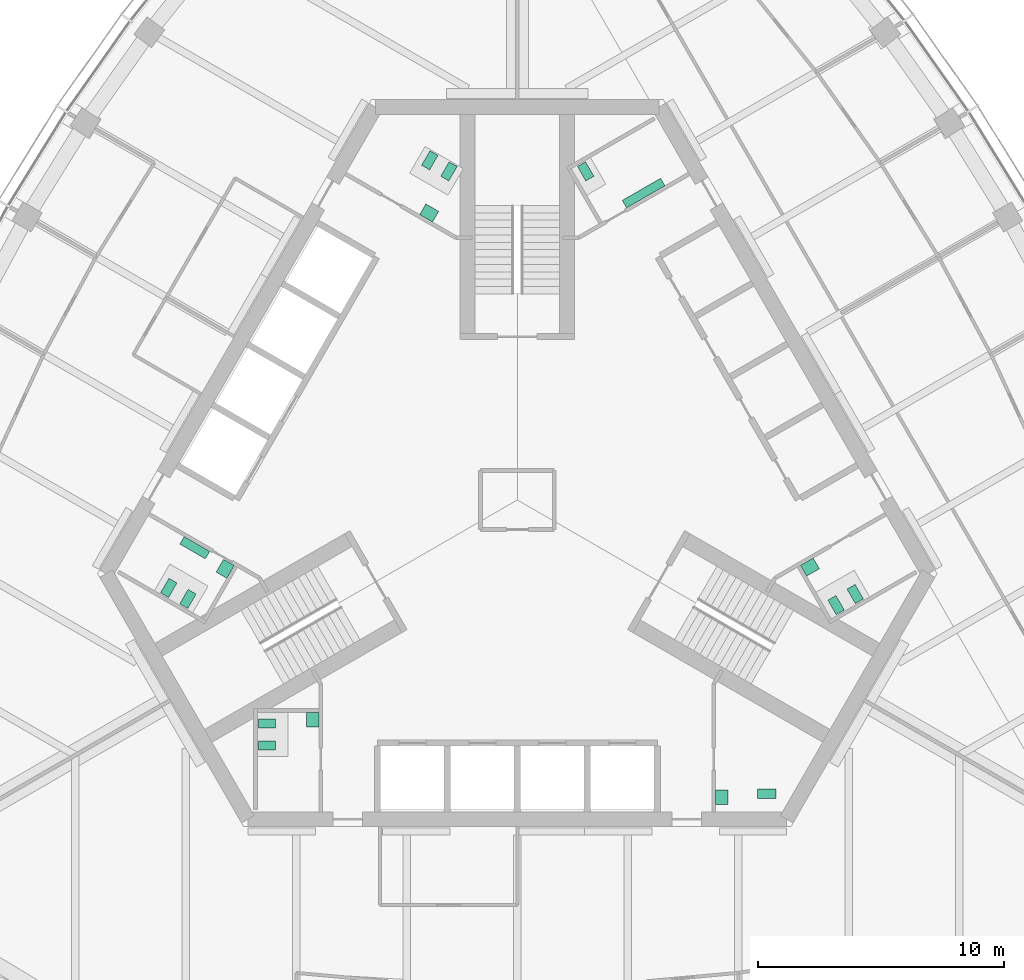
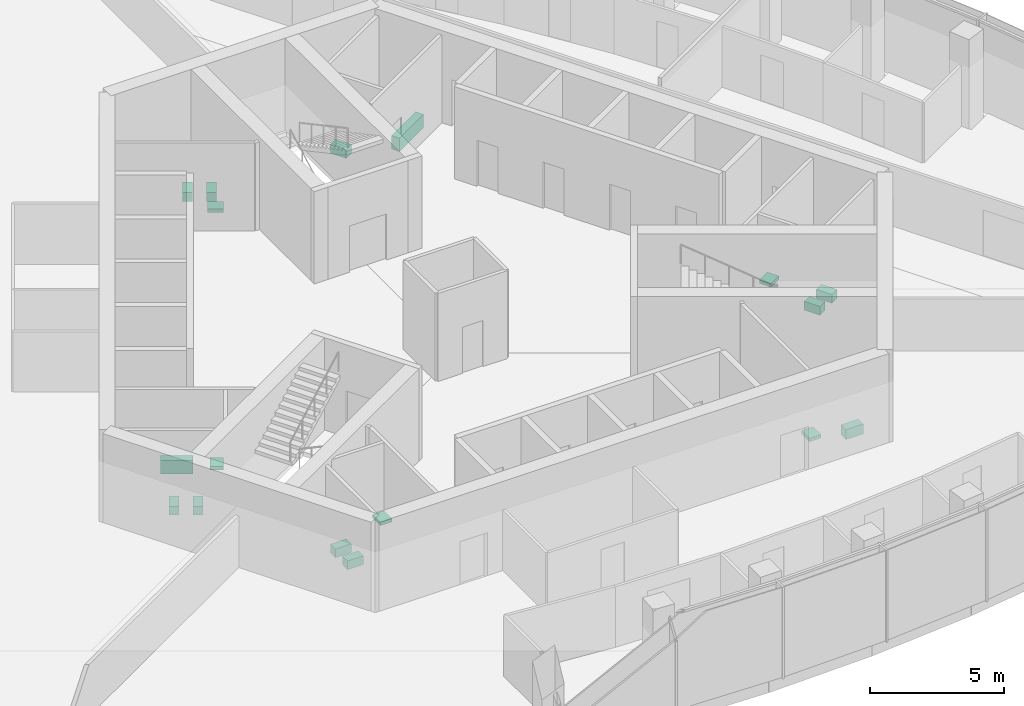
# One storey, part 15 of 16: 17 sanitary terminals.
"""IFC4 building model written with IfcOpenShell, lengths in metres."""

from ifc_helpers import new_model, si_unit, direction, frame, origin, place, context, subcontext, project, spatial, polyline, outline, extrude, material, type_object, element, save


model = new_model("IFC4")

# Units and contexts
model_context = context("Model", 3, precision=1e-05, world=origin(), true_north=direction((0.0, 1.0)))
body_context = subcontext(model_context, "Body", "Model", "MODEL_VIEW")
ifc_project = project(units=[si_unit("LENGTHUNIT", "METRE"), si_unit("AREAUNIT", "SQUARE_METRE"), si_unit("VOLUMEUNIT", "CUBIC_METRE"), si_unit("PLANEANGLEUNIT", "RADIAN"), si_unit("MASSUNIT", "GRAM", prefix="KILO")], contexts=[model_context])

# Site, building, storey
site_placement = place(None, origin())
site = spatial("IfcSite", under=ifc_project, at=site_placement, CompositionType="ELEMENT")
building_placement = place(site_placement, origin())
building = spatial("IfcBuilding", under=site, at=building_placement, Name="Trefoil Bronze Tower", CompositionType="ELEMENT")
storey_placement = place(building_placement, frame((0.0, 0.0, 301.5)))
storey = spatial("IfcBuildingStorey", under=building, at=storey_placement, Name="L69", CompositionType="ELEMENT", Elevation=301.5)

# Sanitary terminals
ifc_material_1 = material(Name="Vitreous china", Category="ceramic")
sanitary_terminal_type_1 = type_object("IfcSanitaryTerminalType", Name="Accessible WC pan", PredefinedType="TOILETPAN", material=ifc_material_1)
sanitary_terminal_1_placement = place(storey_placement, origin())
element("IfcSanitaryTerminal", 1, at=sanitary_terminal_1_placement, inside=storey, type_object=sanitary_terminal_type_1, Name="WC pan 1 Accessible WC L69", PredefinedType="TOILETPAN", context=body_context, shape_type="SweptSolid", body=[
    extrude(outline(polyline([(9.784912109375, -11.77001953125), (10.534912109375, -11.77001953125), (10.534912109375, -12.14990234375), (9.784912109375, -12.14990234375), (9.784912109375, -11.77001953125)])), origin(), (0.0, 0.0, 1.0), 0.449951171875),
])
ifc_material_2 = material(Name="Vitreous china", Category="ceramic")
sanitary_terminal_type_2 = type_object("IfcSanitaryTerminalType", Name="Accessible basin", PredefinedType="WASHHANDBASIN", material=ifc_material_2)
sanitary_terminal_2_placement = place(storey_placement, frame((0.0, 0.0, 0.64990234375)))
element("IfcSanitaryTerminal", 2, at=sanitary_terminal_2_placement, inside=storey, type_object=sanitary_terminal_type_2, Name="Wash basin Accessible WC L69", PredefinedType="WASHHANDBASIN", context=body_context, shape_type="SweptSolid", body=[
    extrude(outline(polyline([(8.074951171875, -11.800048828125), (8.574951171875, -11.800048828125), (8.574951171875, -12.39990234375), (8.074951171875, -12.39990234375), (8.074951171875, -11.800048828125)])), origin(), (0.0, 0.0, 1.0), 0.150146484375),
])
ifc_material_3 = material(Name="Vitreous china", Category="ceramic")
sanitary_terminal_type_3 = type_object("IfcSanitaryTerminalType", Name="Urinal range 2 urinals", PredefinedType="URINAL", material=ifc_material_3)
sanitary_terminal_3_placement = place(storey_placement, frame((0.0, 0.0, 0.39990234375)))
element("IfcSanitaryTerminal", 3, at=sanitary_terminal_3_placement, inside=storey, type_object=sanitary_terminal_type_3, Name="Urinal range WC (men) L69", PredefinedType="URINAL", context=body_context, shape_type="SweptSolid", body=[
    extrude(outline(polyline([(-12.524658203125, -2.09326171875), (-12.699462890625, -2.396240234375), (-13.73876953125, -1.796142578125), (-13.563720703125, -1.4931640625), (-12.524658203125, -2.09326171875)])), origin(), (0.0, 0.0, 1.0), 0.60009765625),
])
ifc_material_4 = material(Name="Vitreous china", Category="ceramic")
sanitary_terminal_type_4 = type_object("IfcSanitaryTerminalType", Name="Urinal range 3 urinals", PredefinedType="URINAL", material=ifc_material_4)
sanitary_terminal_4_placement = place(storey_placement, frame((0.0, 0.0, 0.39990234375)))
element("IfcSanitaryTerminal", 4, at=sanitary_terminal_4_placement, inside=storey, type_object=sanitary_terminal_type_4, Name="Urinal range WC (men) L69", PredefinedType="URINAL", context=body_context, shape_type="SweptSolid", body=[
    extrude(outline(polyline([(4.449462890625, 11.89306640625), (4.274658203125, 12.1962890625), (5.83349609375, 13.09619140625), (6.00830078125, 12.793212890625), (4.449462890625, 11.89306640625)])), origin(), (0.0, 0.0, 1.0), 0.60009765625),
])
ifc_material_5 = material(Name="Solid surface vanity", Category="plastic")
sanitary_terminal_type_5 = type_object("IfcSanitaryTerminalType", Name="Vanity unit 1 basins", PredefinedType="WASHHANDBASIN", material=ifc_material_5)
sanitary_terminal_5_placement = place(storey_placement, frame((0.0, 0.0, 0.75)))
element("IfcSanitaryTerminal", 5, at=sanitary_terminal_5_placement, inside=storey, type_object=sanitary_terminal_type_5, Name="Vanity unit WC (women) L69", PredefinedType="WASHHANDBASIN", context=body_context, shape_type="SweptSolid", body=[
    extrude(outline(polyline([(11.528564453125, -2.668212890625), (11.778564453125, -3.10107421875), (12.29833984375, -2.80126953125), (12.04833984375, -2.3681640625), (11.528564453125, -2.668212890625)])), origin(), (0.0, 0.0, 1.0), 0.14990234375),
])
sanitary_terminal_6_placement = place(storey_placement, frame((0.0, 0.0, 0.75)))
element("IfcSanitaryTerminal", 6, at=sanitary_terminal_6_placement, inside=storey, type_object=sanitary_terminal_type_5, Name="Vanity unit WC (women) L69", PredefinedType="WASHHANDBASIN", context=body_context, shape_type="SweptSolid", body=[
    extrude(outline(polyline([(-3.45361328125, 11.318115234375), (-3.20361328125, 11.751220703125), (-3.72314453125, 12.05126953125), (-3.97314453125, 11.6181640625), (-3.45361328125, 11.318115234375)])), origin(), (0.0, 0.0, 1.0), 0.14990234375),
])
sanitary_terminal_7_placement = place(storey_placement, frame((0.0, 0.0, 0.75)))
element("IfcSanitaryTerminal", 7, at=sanitary_terminal_7_placement, inside=storey, type_object=sanitary_terminal_type_5, Name="Vanity unit WC (men) L69", PredefinedType="WASHHANDBASIN", context=body_context, shape_type="SweptSolid", body=[
    extrude(outline(polyline([(-11.528564453125, -2.668212890625), (-11.82861328125, -3.187744140625), (-12.26171875, -2.937744140625), (-11.961669921875, -2.418212890625), (-11.528564453125, -2.668212890625)])), origin(), (0.0, 0.0, 1.0), 0.14990234375),
])
sanitary_terminal_8_placement = place(storey_placement, frame((0.0, 0.0, 0.75)))
element("IfcSanitaryTerminal", 8, at=sanitary_terminal_8_placement, inside=storey, type_object=sanitary_terminal_type_5, Name="Vanity unit WC (women) L69", PredefinedType="WASHHANDBASIN", context=body_context, shape_type="SweptSolid", body=[
    extrude(outline(polyline([(-8.074951171875, -8.64990234375), (-8.574951171875, -8.64990234375), (-8.574951171875, -9.25), (-8.074951171875, -9.25), (-8.074951171875, -8.64990234375)])), origin(), (0.0, 0.0, 1.0), 0.14990234375),
])
ifc_material_6 = material(Name="Vitreous china", Category="ceramic")
sanitary_terminal_type_6 = type_object("IfcSanitaryTerminalType", Name="WC pan", PredefinedType="TOILETPAN", material=ifc_material_6)
sanitary_terminal_9_placement = place(storey_placement, origin())
element("IfcSanitaryTerminal", 9, at=sanitary_terminal_9_placement, inside=storey, type_object=sanitary_terminal_type_6, Name="WC pan 1 WC (women) L69", PredefinedType="TOILETPAN", context=body_context, shape_type="SweptSolid", body=[
    extrude(outline(polyline([(12.643798828125, -4.07958984375), (12.98388671875, -4.66845703125), (13.31298828125, -4.478515625), (12.972900390625, -3.8896484375), (12.643798828125, -4.07958984375)])), origin(), (0.0, 0.0, 1.0), 0.39990234375),
])
sanitary_terminal_10_placement = place(storey_placement, origin())
element("IfcSanitaryTerminal", 10, at=sanitary_terminal_10_placement, inside=storey, type_object=sanitary_terminal_type_6, Name="WC pan 2 WC (women) L69", PredefinedType="TOILETPAN", context=body_context, shape_type="SweptSolid", body=[
    extrude(outline(polyline([(13.423095703125, -3.629638671875), (13.76318359375, -4.218505859375), (14.09228515625, -4.028564453125), (13.752197265625, -3.439697265625), (13.423095703125, -3.629638671875)])), origin(), (0.0, 0.0, 1.0), 0.39990234375),
])
sanitary_terminal_11_placement = place(storey_placement, origin())
element("IfcSanitaryTerminal", 11, at=sanitary_terminal_11_placement, inside=storey, type_object=sanitary_terminal_type_6, Name="WC pan 1 WC (men) L69", PredefinedType="TOILETPAN", context=body_context, shape_type="SweptSolid", body=[
    extrude(outline(polyline([(2.788818359375, 12.98974609375), (2.44873046875, 13.57861328125), (2.77783203125, 13.7685546875), (3.117919921875, 13.1796875), (2.788818359375, 12.98974609375)])), origin(), (0.0, 0.0, 1.0), 0.39990234375),
])
sanitary_terminal_12_placement = place(storey_placement, origin())
element("IfcSanitaryTerminal", 12, at=sanitary_terminal_12_placement, inside=storey, type_object=sanitary_terminal_type_6, Name="WC pan 1 WC (women) L69", PredefinedType="TOILETPAN", context=body_context, shape_type="SweptSolid", body=[
    extrude(outline(polyline([(-2.788818359375, 12.98974609375), (-2.44873046875, 13.57861328125), (-2.77783203125, 13.7685546875), (-3.117919921875, 13.1796875), (-2.788818359375, 12.98974609375)])), origin(), (0.0, 0.0, 1.0), 0.39990234375),
])
sanitary_terminal_13_placement = place(storey_placement, origin())
element("IfcSanitaryTerminal", 13, at=sanitary_terminal_13_placement, inside=storey, type_object=sanitary_terminal_type_6, Name="WC pan 2 WC (women) L69", PredefinedType="TOILETPAN", context=body_context, shape_type="SweptSolid", body=[
    extrude(outline(polyline([(-3.568115234375, 13.439697265625), (-3.228271484375, 14.028564453125), (-3.557373046875, 14.218505859375), (-3.897216796875, 13.629638671875), (-3.568115234375, 13.439697265625)])), origin(), (0.0, 0.0, 1.0), 0.39990234375),
])
sanitary_terminal_14_placement = place(storey_placement, origin())
element("IfcSanitaryTerminal", 14, at=sanitary_terminal_14_placement, inside=storey, type_object=sanitary_terminal_type_6, Name="WC pan 1 WC (men) L69", PredefinedType="TOILETPAN", context=body_context, shape_type="SweptSolid", body=[
    extrude(outline(polyline([(-13.076904296875, -3.82958984375), (-13.416748046875, -4.41845703125), (-13.745849609375, -4.228515625), (-13.406005859375, -3.6396484375), (-13.076904296875, -3.82958984375)])), origin(), (0.0, 0.0, 1.0), 0.39990234375),
])
sanitary_terminal_15_placement = place(storey_placement, origin())
element("IfcSanitaryTerminal", 15, at=sanitary_terminal_15_placement, inside=storey, type_object=sanitary_terminal_type_6, Name="WC pan 2 WC (men) L69", PredefinedType="TOILETPAN", context=body_context, shape_type="SweptSolid", body=[
    extrude(outline(polyline([(-13.856201171875, -3.379638671875), (-14.1962890625, -3.968505859375), (-14.525390625, -3.778564453125), (-14.185302734375, -3.189697265625), (-13.856201171875, -3.379638671875)])), origin(), (0.0, 0.0, 1.0), 0.39990234375),
])
sanitary_terminal_16_placement = place(storey_placement, origin())
element("IfcSanitaryTerminal", 16, at=sanitary_terminal_16_placement, inside=storey, type_object=sanitary_terminal_type_6, Name="WC pan 1 WC (women) L69", PredefinedType="TOILETPAN", context=body_context, shape_type="SweptSolid", body=[
    extrude(outline(polyline([(-9.85498046875, -8.909912109375), (-10.534912109375, -8.909912109375), (-10.534912109375, -9.2900390625), (-9.85498046875, -9.2900390625), (-9.85498046875, -8.909912109375)])), origin(), (0.0, 0.0, 1.0), 0.39990234375),
])
sanitary_terminal_17_placement = place(storey_placement, origin())
element("IfcSanitaryTerminal", 17, at=sanitary_terminal_17_placement, inside=storey, type_object=sanitary_terminal_type_6, Name="WC pan 2 WC (women) L69", PredefinedType="TOILETPAN", context=body_context, shape_type="SweptSolid", body=[
    extrude(outline(polyline([(-9.85498046875, -9.81005859375), (-10.534912109375, -9.81005859375), (-10.534912109375, -10.18994140625), (-9.85498046875, -10.18994140625), (-9.85498046875, -9.81005859375)])), origin(), (0.0, 0.0, 1.0), 0.39990234375),
])

save(model, "model.ifc")
